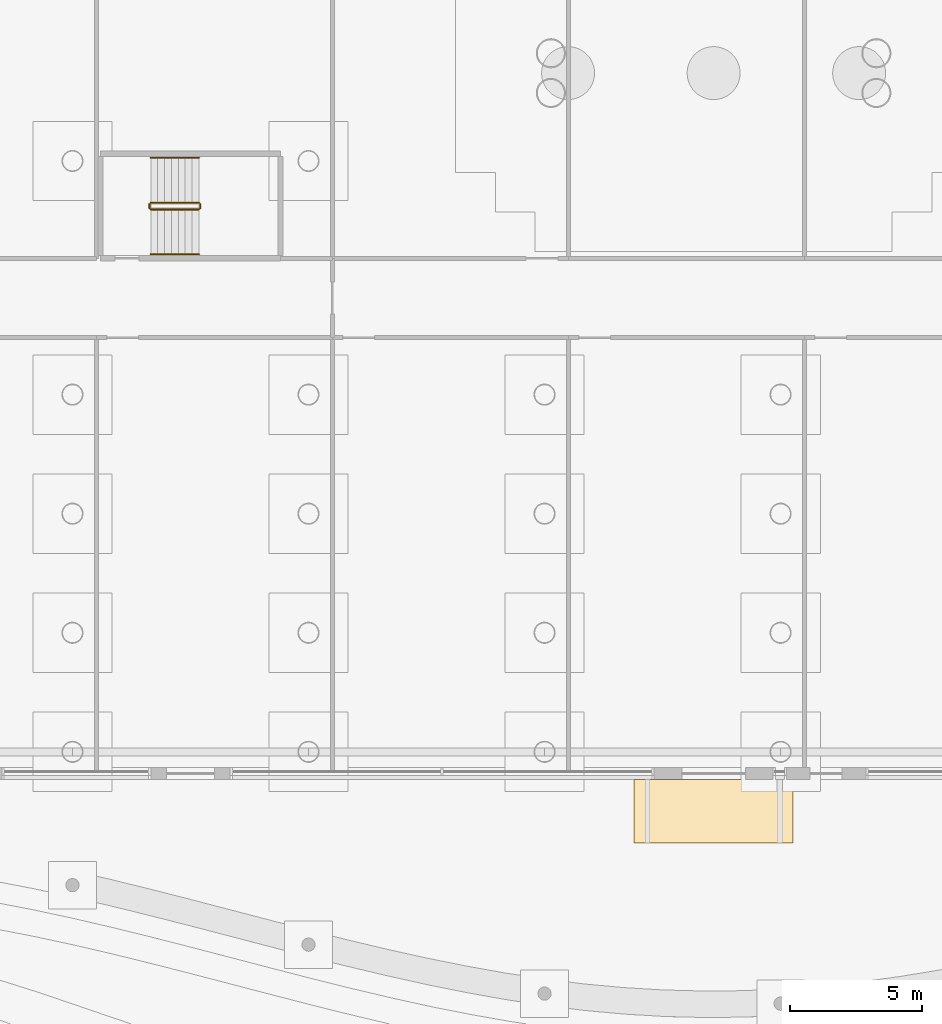
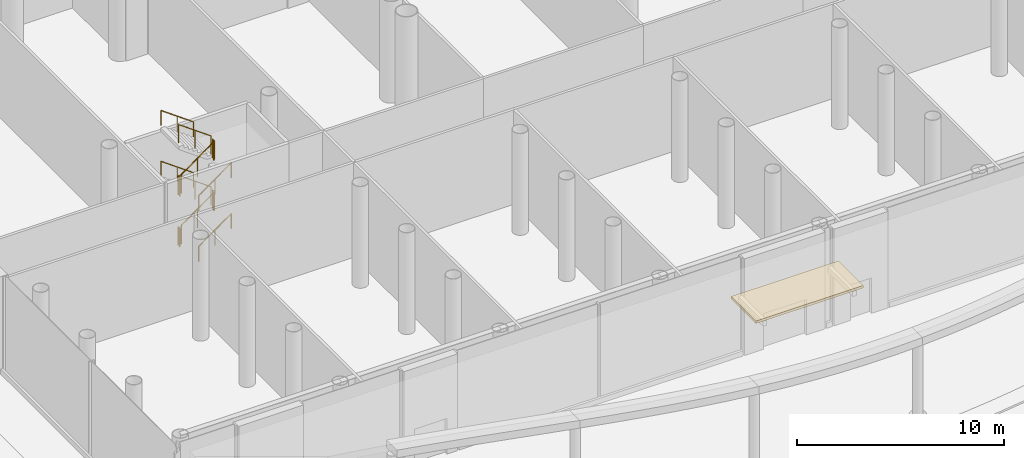
# One storey, part 64 of 75: 12 railings, 1 covering.
"""IFC4 building model written with IfcOpenShell, lengths in metres."""

from ifc_helpers import new_model, si_unit, direction, frame, origin, origin_2d, place, context, subcontext, project, spatial, polyline, circle, outline, extrude, material, layer, layer_set, type_object, element, save


model = new_model("IFC4")

# Units and contexts
model_context = context("Model", 3, precision=1e-05, world=origin(), true_north=direction((0.0, 1.0)))
body_context = subcontext(model_context, "Body", "Model", "MODEL_VIEW")
ifc_project = project(units=[si_unit("LENGTHUNIT", "METRE"), si_unit("AREAUNIT", "SQUARE_METRE"), si_unit("VOLUMEUNIT", "CUBIC_METRE"), si_unit("PLANEANGLEUNIT", "RADIAN"), si_unit("MASSUNIT", "GRAM", prefix="KILO")], contexts=[model_context])

# Site, building, storey
site_placement = place(None, origin())
site = spatial("IfcSite", under=ifc_project, at=site_placement, CompositionType="ELEMENT")
building_placement = place(site_placement, origin())
building = spatial("IfcBuilding", under=site, at=building_placement, Name="Ipe Terrace Towers", CompositionType="ELEMENT")
storey_placement = place(building_placement, origin())
storey = spatial("IfcBuildingStorey", under=building, at=storey_placement, Name="L00", CompositionType="ELEMENT", Elevation=0.0)

# Covering
ifc_material_1 = material(Name="Steel S355 framed laminated glass canopy", Category="steel")
ifc_layer = layer(ifc_material_1, 0.14990234375)
ifc_layer_set = layer_set([ifc_layer], Name="ENTRANCE CANOPY 150")
covering_type = type_object("IfcCoveringType", Name="ENTRANCE CANOPY 150", PredefinedType="USERDEFINED", material=ifc_layer_set)
covering_placement = place(storey_placement, frame((0.0, 0.0, 3.60009765625)))
element("IfcCovering", 1, at=covering_placement, inside=storey, type_object=covering_type, Name="entrance canopy", ObjectType="CANOPY", PredefinedType="USERDEFINED", context=body_context, shape_type="SweptSolid", body=[
    extrude(outline(polyline([(-39.0, -45.590087890625), (-33.0, -45.590087890625), (-33.0, -43.18994140625), (-39.0, -43.18994140625), (-39.0, -45.590087890625)])), origin(), (0.0, 0.0, 1.0), 0.14990234375),
])

# Railings
ifc_material_2 = material(Name="Steel S355", Category="steel")
railing_type_1 = type_object("IfcRailingType", Name="Stair guard 1100", PredefinedType="GUARDRAIL", material=ifc_material_2)
railing_1_placement = place(storey_placement, frame((-57.27001953125, -21.64990234375, 0.1875)))
element("IfcRailing", 2, at=railing_1_placement, inside=storey, type_object=railing_type_1, Name="L00 PS4 stair guard 1", PredefinedType="GUARDRAIL", context=body_context, shape_type="SweptSolid", body=[
    extrude(circle(Radius=0.02392578125, at=origin_2d()), frame((0.0, 0.0, 1.076171875), z_axis=(0.811100754333, 0.0, 0.584906459462), x_axis=(0.0, 1.0, 0.0)), (0.0, 0.0, 1.0), 2.243896484375),
    extrude(circle(Radius=0.02099609375, at=origin_2d()), origin(), (0.0, 0.0, 1.0), 1.052001953125),
    extrude(circle(Radius=0.02099609375, at=origin_2d()), frame((0.91015625, 0.0, 0.65625)), (0.0, 0.0, 1.0), 1.052001953125),
    extrude(circle(Radius=0.02099609375, at=origin_2d()), frame((1.820068359375, 0.0, 1.3125)), (0.0, 0.0, 1.0), 1.052001953125),
])
railing_2_placement = place(storey_placement, frame((-55.39990234375, -21.60009765625, 1.5)))
element("IfcRailing", 3, at=railing_2_placement, inside=storey, type_object=railing_type_1, Name="L00 PS4 stair guard 2", PredefinedType="GUARDRAIL", context=body_context, shape_type="SweptSolid", body=[
    extrude(circle(Radius=0.02392578125, at=origin_2d()), frame((0.0, 0.0, 1.076171875), z_axis=(0.0, 1.0, 0.0), x_axis=(-1.0, 0.0, 0.0)), (0.0, 0.0, 1.0), 0.150146484375),
    extrude(circle(Radius=0.02099609375, at=origin_2d()), origin(), (0.0, 0.0, 1.0), 1.052001953125),
    extrude(circle(Radius=0.02099609375, at=origin_2d()), frame((0.0, 0.150146484375, 0.0)), (0.0, 0.0, 1.0), 1.052001953125),
])
railing_3_placement = place(storey_placement, frame((-55.449951171875, -21.39990234375, 1.6875)))
element("IfcRailing", 4, at=railing_3_placement, inside=storey, type_object=railing_type_1, Name="L00 PS4 stair guard 3", PredefinedType="GUARDRAIL", context=body_context, shape_type="SweptSolid", body=[
    extrude(circle(Radius=0.02392578125, at=origin_2d()), frame((0.0, 0.0, 1.076171875), z_axis=(-0.811100754333, 0.0, 0.584906459462), x_axis=(0.0, -1.0, 0.0)), (0.0, 0.0, 1.0), 2.243896484375),
    extrude(circle(Radius=0.02099609375, at=origin_2d()), origin(), (0.0, 0.0, 1.0), 1.052001953125),
    extrude(circle(Radius=0.02099609375, at=origin_2d()), frame((-0.91015625, 0.0, 0.65625)), (0.0, 0.0, 1.0), 1.052001953125),
    extrude(circle(Radius=0.02099609375, at=origin_2d()), frame((-1.820068359375, 0.0, 1.3125)), (0.0, 0.0, 1.0), 1.052001953125),
])
railing_4_placement = place(storey_placement, frame((-57.320068359375, -21.60009765625, 3.0)))
element("IfcRailing", 5, at=railing_4_placement, inside=storey, type_object=railing_type_1, Name="L00 PS4 stair guard 4", PredefinedType="GUARDRAIL", context=body_context, shape_type="SweptSolid", body=[
    extrude(circle(Radius=0.02392578125, at=origin_2d()), frame((0.0, 0.0, 1.076171875), z_axis=(0.0, 1.0, 0.0), x_axis=(-1.0, 0.0, 0.0)), (0.0, 0.0, 1.0), 0.150146484375),
    extrude(circle(Radius=0.02099609375, at=origin_2d()), origin(), (0.0, 0.0, 1.0), 1.052001953125),
    extrude(circle(Radius=0.02099609375, at=origin_2d()), frame((0.0, 0.150146484375, 0.0)), (0.0, 0.0, 1.0), 1.052001953125),
])
railing_5_placement = place(storey_placement, frame((-57.27001953125, -21.64990234375, 3.1875)))
element("IfcRailing", 6, at=railing_5_placement, inside=storey, type_object=railing_type_1, Name="L00 PS4 stair guard 5", PredefinedType="GUARDRAIL", context=body_context, shape_type="SweptSolid", body=[
    extrude(circle(Radius=0.02392578125, at=origin_2d()), frame((0.0, 0.0, 1.076171875), z_axis=(0.811100754333, 0.0, 0.584906459462), x_axis=(0.0, 1.0, 0.0)), (0.0, 0.0, 1.0), 2.243896484375),
    extrude(circle(Radius=0.02099609375, at=origin_2d()), origin(), (0.0, 0.0, 1.0), 1.052001953125),
    extrude(circle(Radius=0.02099609375, at=origin_2d()), frame((0.91015625, 0.0, 0.65625)), (0.0, 0.0, 1.0), 1.052001953125),
    extrude(circle(Radius=0.02099609375, at=origin_2d()), frame((1.820068359375, 0.0, 1.3125)), (0.0, 0.0, 1.0), 1.052001953125),
])
railing_6_placement = place(storey_placement, frame((-55.39990234375, -21.60009765625, 4.5)))
element("IfcRailing", 7, at=railing_6_placement, inside=storey, type_object=railing_type_1, Name="L00 PS4 stair guard 6", PredefinedType="GUARDRAIL", context=body_context, shape_type="SweptSolid", body=[
    extrude(circle(Radius=0.02392578125, at=origin_2d()), frame((0.0, 0.0, 1.076171875), z_axis=(0.0, 1.0, 0.0), x_axis=(-1.0, 0.0, 0.0)), (0.0, 0.0, 1.0), 0.150146484375),
    extrude(circle(Radius=0.02099609375, at=origin_2d()), origin(), (0.0, 0.0, 1.0), 1.052001953125),
    extrude(circle(Radius=0.02099609375, at=origin_2d()), frame((0.0, 0.150146484375, 0.0)), (0.0, 0.0, 1.0), 1.052001953125),
])
railing_7_placement = place(storey_placement, frame((-55.449951171875, -21.39990234375, 4.6875)))
element("IfcRailing", 8, at=railing_7_placement, inside=storey, type_object=railing_type_1, Name="L00 PS4 stair guard 7", PredefinedType="GUARDRAIL", context=body_context, shape_type="SweptSolid", body=[
    extrude(circle(Radius=0.02392578125, at=origin_2d()), frame((0.0, 0.0, 1.076171875), z_axis=(-0.811100754333, 0.0, 0.584906459462), x_axis=(0.0, -1.0, 0.0)), (0.0, 0.0, 1.0), 2.243896484375),
    extrude(circle(Radius=0.02099609375, at=origin_2d()), origin(), (0.0, 0.0, 1.0), 1.052001953125),
    extrude(circle(Radius=0.02099609375, at=origin_2d()), frame((-0.91015625, 0.0, 0.65625)), (0.0, 0.0, 1.0), 1.052001953125),
    extrude(circle(Radius=0.02099609375, at=origin_2d()), frame((-1.820068359375, 0.0, 1.3125)), (0.0, 0.0, 1.0), 1.052001953125),
])
railing_8_placement = place(storey_placement, frame((-57.320068359375, -21.60009765625, 0.0)))
element("IfcRailing", 9, at=railing_8_placement, inside=storey, type_object=railing_type_1, Name="L00 PS4 stair guard 8", PredefinedType="GUARDRAIL", context=body_context, shape_type="SweptSolid", body=[
    extrude(circle(Radius=0.02392578125, at=origin_2d()), frame((0.0, 0.0, 1.076171875), z_axis=(0.0, 1.0, 0.0), x_axis=(-1.0, 0.0, 0.0)), (0.0, 0.0, 1.0), 0.150146484375),
    extrude(circle(Radius=0.02099609375, at=origin_2d()), origin(), (0.0, 0.0, 1.0), 1.052001953125),
    extrude(circle(Radius=0.02099609375, at=origin_2d()), frame((0.0, 0.150146484375, 0.0)), (0.0, 0.0, 1.0), 1.052001953125),
])
ifc_material_3 = material(Name="Stainless steel grade 304", Category="steel")
railing_type_2 = type_object("IfcRailingType", Name="Stair handrail 900", PredefinedType="HANDRAIL", material=ifc_material_3)
railing_9_placement = place(storey_placement, frame((-57.27001953125, -23.35009765625, 0.1875)))
element("IfcRailing", 10, at=railing_9_placement, inside=storey, type_object=railing_type_2, Name="L00 PS4 stair handrail 1", PredefinedType="HANDRAIL", context=body_context, shape_type="SweptSolid", body=[
    extrude(circle(Radius=0.02392578125, at=origin_2d()), frame((0.0, 0.0, 0.8759765625), z_axis=(0.811100754333, 0.0, 0.584906459462), x_axis=(0.0, 1.0, 0.0)), (0.0, 0.0, 1.0), 2.243896484375),
    extrude(circle(Radius=0.02099609375, at=origin_2d()), origin(), (0.0, 0.0, 1.0), 0.851806640625),
    extrude(circle(Radius=0.02099609375, at=origin_2d()), frame((0.91015625, 0.0, 0.65625)), (0.0, 0.0, 1.0), 0.851806640625),
    extrude(circle(Radius=0.02099609375, at=origin_2d()), frame((1.820068359375, 0.0, 1.3125)), (0.0, 0.0, 1.0), 0.851806640625),
])
railing_10_placement = place(storey_placement, frame((-55.449951171875, -19.699951171875, 1.6875)))
element("IfcRailing", 11, at=railing_10_placement, inside=storey, type_object=railing_type_2, Name="L00 PS4 stair handrail 2", PredefinedType="HANDRAIL", context=body_context, shape_type="SweptSolid", body=[
    extrude(circle(Radius=0.02392578125, at=origin_2d()), frame((0.0, 0.0, 0.8759765625), z_axis=(-0.811100754333, 0.0, 0.584906459462), x_axis=(0.0, -1.0, 0.0)), (0.0, 0.0, 1.0), 2.243896484375),
    extrude(circle(Radius=0.02099609375, at=origin_2d()), origin(), (0.0, 0.0, 1.0), 0.851806640625),
    extrude(circle(Radius=0.02099609375, at=origin_2d()), frame((-0.91015625, 0.0, 0.65625)), (0.0, 0.0, 1.0), 0.851806640625),
    extrude(circle(Radius=0.02099609375, at=origin_2d()), frame((-1.820068359375, 0.0, 1.3125)), (0.0, 0.0, 1.0), 0.851806640625),
])
railing_11_placement = place(storey_placement, frame((-57.27001953125, -23.35009765625, 3.1875)))
element("IfcRailing", 12, at=railing_11_placement, inside=storey, type_object=railing_type_2, Name="L00 PS4 stair handrail 3", PredefinedType="HANDRAIL", context=body_context, shape_type="SweptSolid", body=[
    extrude(circle(Radius=0.02392578125, at=origin_2d()), frame((0.0, 0.0, 0.8759765625), z_axis=(0.811100754333, 0.0, 0.584906459462), x_axis=(0.0, 1.0, 0.0)), (0.0, 0.0, 1.0), 2.243896484375),
    extrude(circle(Radius=0.02099609375, at=origin_2d()), origin(), (0.0, 0.0, 1.0), 0.851806640625),
    extrude(circle(Radius=0.02099609375, at=origin_2d()), frame((0.91015625, 0.0, 0.65625)), (0.0, 0.0, 1.0), 0.851806640625),
    extrude(circle(Radius=0.02099609375, at=origin_2d()), frame((1.820068359375, 0.0, 1.3125)), (0.0, 0.0, 1.0), 0.851806640625),
])
railing_12_placement = place(storey_placement, frame((-55.449951171875, -19.699951171875, 4.6875)))
element("IfcRailing", 13, at=railing_12_placement, inside=storey, type_object=railing_type_2, Name="L00 PS4 stair handrail 4", PredefinedType="HANDRAIL", context=body_context, shape_type="SweptSolid", body=[
    extrude(circle(Radius=0.02392578125, at=origin_2d()), frame((0.0, 0.0, 0.8759765625), z_axis=(-0.811100754333, 0.0, 0.584906459462), x_axis=(0.0, -1.0, 0.0)), (0.0, 0.0, 1.0), 2.243896484375),
    extrude(circle(Radius=0.02099609375, at=origin_2d()), origin(), (0.0, 0.0, 1.0), 0.851806640625),
    extrude(circle(Radius=0.02099609375, at=origin_2d()), frame((-0.91015625, 0.0, 0.65625)), (0.0, 0.0, 1.0), 0.851806640625),
    extrude(circle(Radius=0.02099609375, at=origin_2d()), frame((-1.820068359375, 0.0, 1.3125)), (0.0, 0.0, 1.0), 0.851806640625),
])

save(model, "model.ifc")
